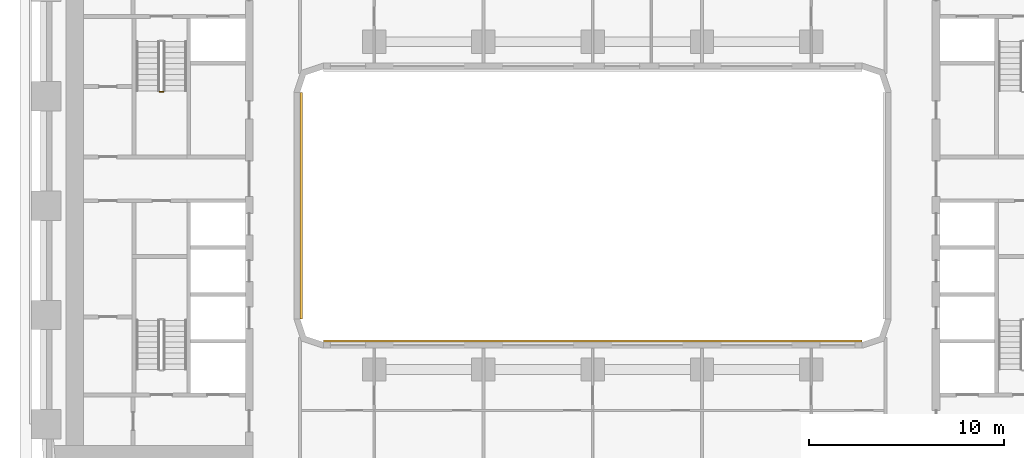
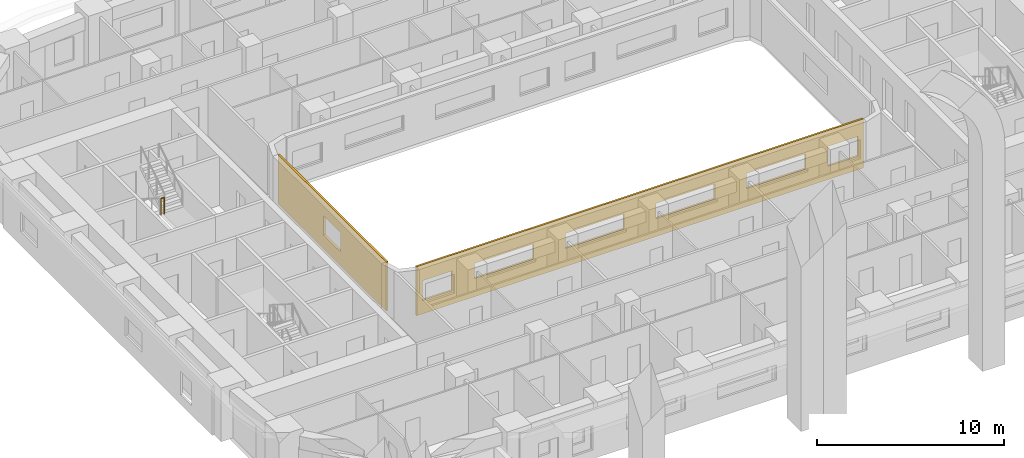
# One storey, part 14 of 21: 2 coverings, 1 railing.
"""IFC4 building model written with IfcOpenShell, lengths in metres."""

from ifc_helpers import new_model, si_unit, direction, frame, origin, origin_2d, place, context, subcontext, project, spatial, polyline, circle, outline, extrude, material, layer, layer_set, type_object, element, save


model = new_model("IFC4")

# Units and contexts
model_context = context("Model", 3, precision=1e-05, world=origin(), true_north=direction((0.0, 1.0)))
body_context = subcontext(model_context, "Body", "Model", "MODEL_VIEW")
ifc_project = project(units=[si_unit("LENGTHUNIT", "METRE"), si_unit("AREAUNIT", "SQUARE_METRE"), si_unit("VOLUMEUNIT", "CUBIC_METRE"), si_unit("PLANEANGLEUNIT", "RADIAN"), si_unit("MASSUNIT", "GRAM", prefix="KILO")], contexts=[model_context])

# Site, building, storey
site_placement = place(None, origin())
site = spatial("IfcSite", under=ifc_project, at=site_placement, CompositionType="ELEMENT")
building_placement = place(site_placement, origin())
building = spatial("IfcBuilding", under=site, at=building_placement, Name="Kiln Ring Residences", CompositionType="ELEMENT")
storey_placement = place(building_placement, frame((0.0, 0.0, 51.5)))
storey = spatial("IfcBuildingStorey", under=building, at=storey_placement, Name="L12", CompositionType="ELEMENT", Elevation=51.5)

# Railing
ifc_material_1 = material(Name="Stainless steel", Category="steel")
railing_type = type_object("IfcRailingType", Name="CORE-STAIR-GUARD", PredefinedType="GUARDRAIL", material=ifc_material_1)
railing_placement = place(storey_placement, frame((-22.199951171875, 5.830078125, 1.75)))
element("IfcRailing", 1, at=railing_placement, inside=storey, type_object=railing_type, Name="L12 W-STN stair guard 2", PredefinedType="GUARDRAIL", context=body_context, shape_type="SweptSolid", body=[
    extrude(circle(Radius=0.02392578125, at=origin_2d()), frame((0.0, 0.0, 1.076171875), z_axis=(1.0, 0.0, 0.0), x_axis=(0.0, 1.0, 0.0)), (0.0, 0.0, 1.0), 0.199951171875),
    extrude(circle(Radius=0.02099609375, at=origin_2d()), origin(), (0.0, 0.0, 1.0), 1.052001953125),
    extrude(circle(Radius=0.02099609375, at=origin_2d()), frame((0.199951171875, 0.0, 0.0)), (0.0, 0.0, 1.0), 1.052001953125),
])

# Coverings
ifc_material_2 = material(Name="Brick masonry, dark clay brick", Category="masonry")
ifc_layer = layer(ifc_material_2, 0.1201171875)
ifc_layer_set = layer_set([ifc_layer], Name="RAINSCREEN PANEL 120")
covering_type = type_object("IfcCoveringType", Name="RAINSCREEN PANEL 120", PredefinedType="CLADDING", material=ifc_layer_set)
covering_1_placement = place(storey_placement, frame((-14.93994140625, -5.800048828125, 0.0), z_axis=(0.0, 0.0, 1.0), x_axis=(0.0, 1.0, 0.0)))
element("IfcCovering", 2, at=covering_1_placement, inside=storey, type_object=covering_type, Name="RAINSCREEN L12", PredefinedType="CLADDING", context=body_context, shape_type="SweptSolid", body=[
    extrude(outline(polyline([(0.0, 0.0), (11.60009765625, 0.0), (11.60009765625, 3.199951171875), (0.0, 3.199951171875), (0.0, 0.0)]), holes=[polyline([(4.89990234375, 2.14990234375), (4.89990234375, 0.89990234375), (6.699951171875, 0.89990234375), (6.699951171875, 2.14990234375), (4.89990234375, 2.14990234375)])]), frame((0.0, 0.06005859375, 0.0), z_axis=(0.0, -1.0, 0.0), x_axis=(1.0, 0.0, 0.0)), (0.0, 0.0, 1.0), 0.1201171875),
])
covering_2_placement = place(storey_placement, frame((13.800048828125, -6.93994140625, 0.0), z_axis=(0.0, 0.0, 1.0), x_axis=(-1.0, 0.0, 0.0)))
element("IfcCovering", 3, at=covering_2_placement, inside=storey, type_object=covering_type, Name="RAINSCREEN L12", PredefinedType="CLADDING", context=body_context, shape_type="SweptSolid", body=[
    extrude(outline(polyline([(0.0, 0.0), (27.60009765625, 0.0), (27.60009765625, 3.199951171875), (0.0, 3.199951171875), (0.0, 0.0)]), holes=[polyline([(2.1826171875, 0.8798828125), (2.1826171875, 2.169921875), (0.342529296875, 2.169921875), (0.342529296875, 0.8798828125), (2.1826171875, 0.8798828125)]), polyline([(25.41748046875, 0.8798828125), (27.257568359375, 0.8798828125), (27.257568359375, 2.169921875), (25.41748046875, 2.169921875), (25.41748046875, 0.8798828125)]), polyline([(3.580078125, 1.179931640625), (7.219970703125, 1.179931640625), (7.219970703125, 2.169921875), (3.580078125, 2.169921875), (3.580078125, 1.179931640625)]), polyline([(12.820068359375, 1.179931640625), (12.820068359375, 2.169921875), (9.179931640625, 2.169921875), (9.179931640625, 1.179931640625), (12.820068359375, 1.179931640625)]), polyline([(14.780029296875, 1.179931640625), (18.419921875, 1.179931640625), (18.419921875, 2.169921875), (14.780029296875, 2.169921875), (14.780029296875, 1.179931640625)]), polyline([(20.3798828125, 1.179931640625), (24.02001953125, 1.179931640625), (24.02001953125, 2.169921875), (20.3798828125, 2.169921875), (20.3798828125, 1.179931640625)])]), frame((0.0, 0.06005859375, 0.0), z_axis=(0.0, -1.0, 0.0), x_axis=(1.0, 0.0, 0.0)), (0.0, 0.0, 1.0), 0.1201171875),
])

save(model, "model.ifc")
